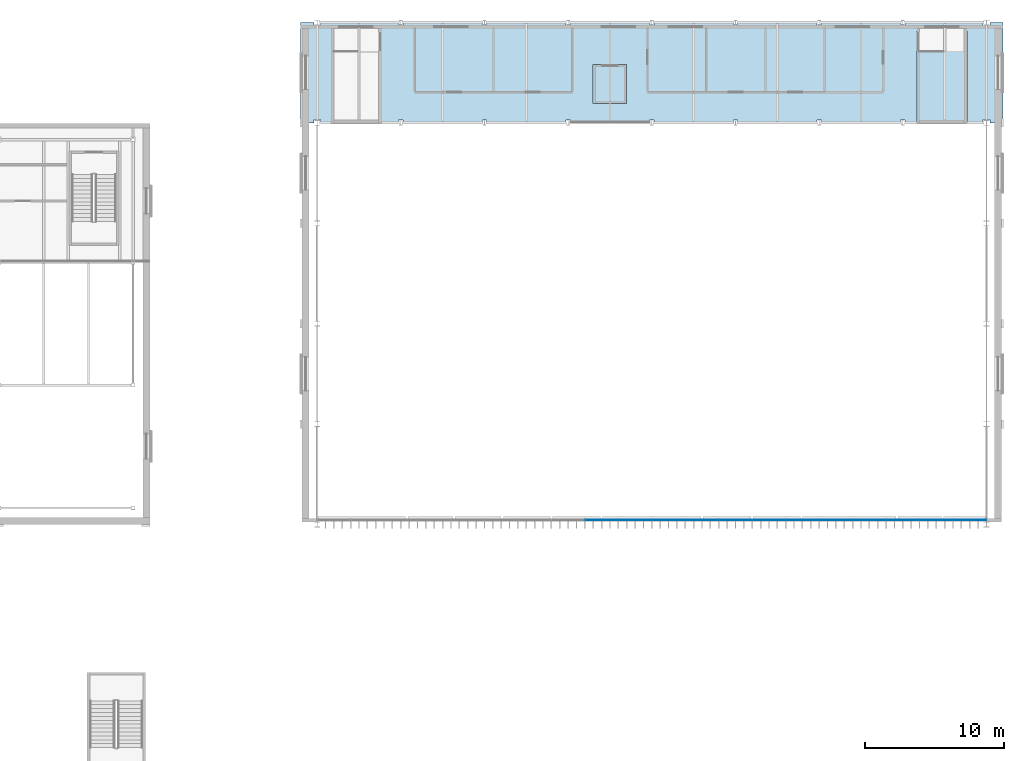
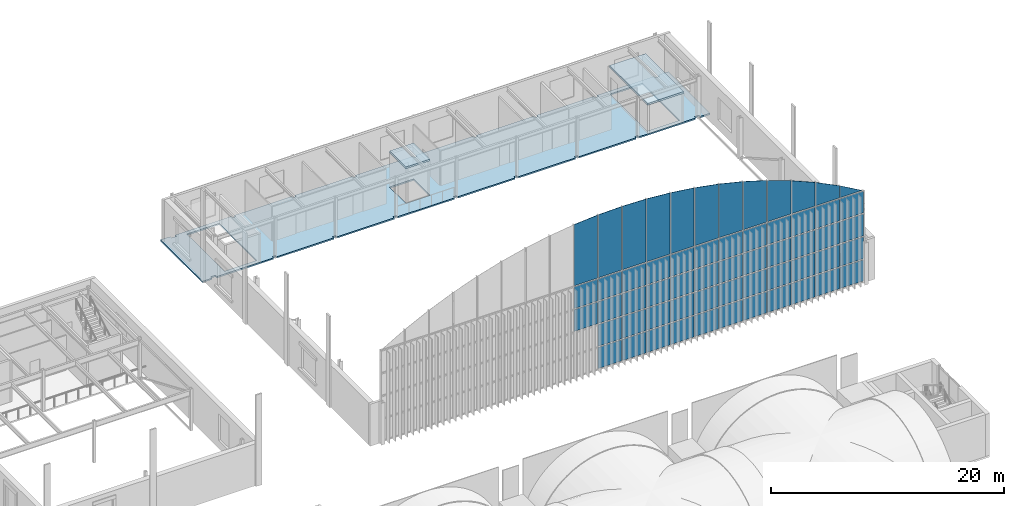
# One storey, part 95 of 169: 58 plates, 3 slabs, 1 element without a shape of its own.
"""IFC4 building model written with IfcOpenShell, lengths in metres."""

from ifc_helpers import new_model, si_unit, direction, frame, origin, origin_2d, place, context, subcontext, project, spatial, polyline, rectangle, outline, extrude, material, layer, layer_set, type_object, element, aggregate, save


model = new_model("IFC4")

# Units and contexts
model_context = context("Model", 3, precision=1e-05, world=origin(), true_north=direction((0.0, 1.0)))
body_context = subcontext(model_context, "Body", "Model", "MODEL_VIEW")
ifc_project = project(units=[si_unit("LENGTHUNIT", "METRE"), si_unit("AREAUNIT", "SQUARE_METRE"), si_unit("VOLUMEUNIT", "CUBIC_METRE"), si_unit("PLANEANGLEUNIT", "RADIAN"), si_unit("MASSUNIT", "GRAM", prefix="KILO")], contexts=[model_context])

# Site, building, storey
site_placement = place(None, origin())
site = spatial("IfcSite", under=ifc_project, at=site_placement, CompositionType="ELEMENT")
building_placement = place(site_placement, origin())
building = spatial("IfcBuilding", under=site, at=building_placement, Name="Verrick Yard Athletic Hall", CompositionType="ELEMENT")
storey_placement = place(building_placement, frame((0.0, 0.0, 4.39990234375)))
storey = spatial("IfcBuildingStorey", under=building, at=storey_placement, Name="L01", CompositionType="ELEMENT", Elevation=4.39990234375)

# Slabs
ifc_material_1 = material(Name="Concrete 35 MPa", Category="concrete")
ifc_layer_1 = layer(ifc_material_1, 0.199951171875)
ifc_layer_set_1 = layer_set([ifc_layer_1], Name="Core roof slab 200")
slab_type_1 = type_object("IfcSlabType", Name="Core roof slab 200", PredefinedType="ROOF", material=ifc_layer_set_1)
slab_1_placement = place(storey_placement, frame((0.0, 0.0, 3.0)))
element("IfcSlab", 1, at=slab_1_placement, inside=storey, type_object=slab_type_1, Name="CORE-HA-E-COVER", PredefinedType="ROOF", context=body_context, shape_type="SweptSolid", body=[
    extrude(outline(polyline([(164.60009765625, 100.800048828125), (168.199951171875, 100.800048828125), (168.199951171875, 107.375), (164.60009765625, 107.375), (164.60009765625, 100.800048828125)])), origin(), (0.0, 0.0, 1.0), 0.2001953125),
])
slab_2_placement = place(storey_placement, frame((0.0, 0.0, 3.60009765625)))
element("IfcSlab", 2, at=slab_2_placement, inside=storey, type_object=slab_type_1, Name="CORE-LF-HA-COVER", PredefinedType="ROOF", context=body_context, shape_type="SweptSolid", body=[
    extrude(outline(polyline([(141.39990234375, 102.199951171875), (143.800048828125, 102.199951171875), (143.800048828125, 105.0), (141.39990234375, 105.0), (141.39990234375, 102.199951171875)])), origin(), (0.0, 0.0, 1.0), 0.199951171875),
])

# Curtain wall, plates
ifc_material_2 = material(Name="Anodised aluminium", Category="aluminium")
ifc_layer_2 = layer(ifc_material_2, 0.199951171875)
ifc_layer_set_2 = layer_set([ifc_layer_2], Name="Gable glazing")
curtain_wall_type = type_object("IfcCurtainWallType", Name="Gable glazing", PredefinedType="NOTDEFINED", material=ifc_layer_set_2)
curtain_wall_placement = place(storey_placement, origin())
curtain_wall = element("IfcCurtainWall", 3, at=curtain_wall_placement, inside=storey, type_object=curtain_wall_type, Name="Gable curtain wall AS", PredefinedType="NOTDEFINED")
ifc_material_3 = material(Name="Glass IGU low-e", Category="glass")
ifc_layer_3 = layer(ifc_material_3, 0.03125)
ifc_layer_set_3 = layer_set([ifc_layer_3], Name="Glazing panel 31")
plate_type = type_object("IfcPlateType", Name="Glazing panel 31", PredefinedType="CURTAIN_PANEL", material=ifc_layer_set_3)
plate_1_placement = place(storey_placement, frame((142.0, 72.318359375, 4.85986328125), z_axis=(0.0, 0.0, 1.0), x_axis=(1.0, 0.0, 0.0)))
plate_1 = element("IfcPlate", 4, at=plate_1_placement, type_object=plate_type, Name="ENVB-HAS-CW/P08-02", PredefinedType="CURTAIN_PANEL", context=body_context, shape_type="SweptSolid", body=[
    extrude(rectangle(XDim=2.340087890625, YDim=0.03125, at=origin_2d()), origin(), (0.0, 0.0, 1.0), 2.280029296875),
])
plate_2_placement = place(storey_placement, frame((142.0, 72.318359375, 7.26025390625), z_axis=(0.0, 0.0, 1.0), x_axis=(1.0, 0.0, 0.0)))
plate_2 = element("IfcPlate", 5, at=plate_2_placement, type_object=plate_type, Name="ENVB-HAS-CW/P08-03", PredefinedType="CURTAIN_PANEL", context=body_context, shape_type="SweptSolid", body=[
    extrude(rectangle(XDim=2.340087890625, YDim=0.03125, at=origin_2d()), origin(), (0.0, 0.0, 1.0), 2.280029296875),
])
plate_3_placement = place(storey_placement, frame((144.39990234375, 72.318359375, 0.1201171875), z_axis=(0.0, 0.0, 1.0), x_axis=(1.0, 0.0, 0.0)))
plate_3 = element("IfcPlate", 6, at=plate_3_placement, type_object=plate_type, Name="ENVB-HAS-CW/P09-00", PredefinedType="CURTAIN_PANEL", context=body_context, shape_type="SweptSolid", body=[
    extrude(rectangle(XDim=2.340087890625, YDim=0.03125, at=origin_2d()), origin(), (0.0, 0.0, 1.0), 2.219970703125),
])
plate_4_placement = place(storey_placement, frame((144.39990234375, 72.318359375, 2.4599609375), z_axis=(0.0, 0.0, 1.0), x_axis=(1.0, 0.0, 0.0)))
plate_4 = element("IfcPlate", 7, at=plate_4_placement, type_object=plate_type, Name="ENVB-HAS-CW/P09-01", PredefinedType="CURTAIN_PANEL", context=body_context, shape_type="SweptSolid", body=[
    extrude(rectangle(XDim=2.340087890625, YDim=0.03125, at=origin_2d()), origin(), (0.0, 0.0, 1.0), 2.280029296875),
])
plate_5_placement = place(storey_placement, frame((144.39990234375, 72.318359375, 4.85986328125), z_axis=(0.0, 0.0, 1.0), x_axis=(1.0, 0.0, 0.0)))
plate_5 = element("IfcPlate", 8, at=plate_5_placement, type_object=plate_type, Name="ENVB-HAS-CW/P09-02", PredefinedType="CURTAIN_PANEL", context=body_context, shape_type="SweptSolid", body=[
    extrude(rectangle(XDim=2.340087890625, YDim=0.03125, at=origin_2d()), origin(), (0.0, 0.0, 1.0), 2.280029296875),
])
plate_6_placement = place(storey_placement, frame((144.39990234375, 72.318359375, 7.26025390625), z_axis=(0.0, 0.0, 1.0), x_axis=(1.0, 0.0, 0.0)))
plate_6 = element("IfcPlate", 9, at=plate_6_placement, type_object=plate_type, Name="ENVB-HAS-CW/P09-03", PredefinedType="CURTAIN_PANEL", context=body_context, shape_type="SweptSolid", body=[
    extrude(rectangle(XDim=2.340087890625, YDim=0.03125, at=origin_2d()), origin(), (0.0, 0.0, 1.0), 2.280029296875),
])
plate_7_placement = place(storey_placement, frame((146.800048828125, 72.318359375, 0.1201171875), z_axis=(0.0, 0.0, 1.0), x_axis=(1.0, 0.0, 0.0)))
plate_7 = element("IfcPlate", 10, at=plate_7_placement, type_object=plate_type, Name="ENVB-HAS-CW/P10-00", PredefinedType="CURTAIN_PANEL", context=body_context, shape_type="SweptSolid", body=[
    extrude(rectangle(XDim=2.340087890625, YDim=0.03125, at=origin_2d()), origin(), (0.0, 0.0, 1.0), 2.219970703125),
])
plate_8_placement = place(storey_placement, frame((146.800048828125, 72.318359375, 2.4599609375), z_axis=(0.0, 0.0, 1.0), x_axis=(1.0, 0.0, 0.0)))
plate_8 = element("IfcPlate", 11, at=plate_8_placement, type_object=plate_type, Name="ENVB-HAS-CW/P10-01", PredefinedType="CURTAIN_PANEL", context=body_context, shape_type="SweptSolid", body=[
    extrude(rectangle(XDim=2.340087890625, YDim=0.03125, at=origin_2d()), origin(), (0.0, 0.0, 1.0), 2.280029296875),
])
plate_9_placement = place(storey_placement, frame((146.800048828125, 72.318359375, 4.85986328125), z_axis=(0.0, 0.0, 1.0), x_axis=(1.0, 0.0, 0.0)))
plate_9 = element("IfcPlate", 12, at=plate_9_placement, type_object=plate_type, Name="ENVB-HAS-CW/P10-02", PredefinedType="CURTAIN_PANEL", context=body_context, shape_type="SweptSolid", body=[
    extrude(rectangle(XDim=2.340087890625, YDim=0.03125, at=origin_2d()), origin(), (0.0, 0.0, 1.0), 2.280029296875),
])
plate_10_placement = place(storey_placement, frame((146.800048828125, 72.318359375, 7.26025390625), z_axis=(0.0, 0.0, 1.0), x_axis=(1.0, 0.0, 0.0)))
plate_10 = element("IfcPlate", 13, at=plate_10_placement, type_object=plate_type, Name="ENVB-HAS-CW/P10-03", PredefinedType="CURTAIN_PANEL", context=body_context, shape_type="SweptSolid", body=[
    extrude(rectangle(XDim=2.340087890625, YDim=0.03125, at=origin_2d()), origin(), (0.0, 0.0, 1.0), 2.280029296875),
])
plate_11_placement = place(storey_placement, frame((149.199951171875, 72.318359375, 0.1201171875), z_axis=(0.0, 0.0, 1.0), x_axis=(1.0, 0.0, 0.0)))
plate_11 = element("IfcPlate", 14, at=plate_11_placement, type_object=plate_type, Name="ENVB-HAS-CW/P11-00", PredefinedType="CURTAIN_PANEL", context=body_context, shape_type="SweptSolid", body=[
    extrude(rectangle(XDim=2.340087890625, YDim=0.03125, at=origin_2d()), origin(), (0.0, 0.0, 1.0), 2.219970703125),
])
plate_12_placement = place(storey_placement, frame((149.199951171875, 72.318359375, 2.4599609375), z_axis=(0.0, 0.0, 1.0), x_axis=(1.0, 0.0, 0.0)))
plate_12 = element("IfcPlate", 15, at=plate_12_placement, type_object=plate_type, Name="ENVB-HAS-CW/P11-01", PredefinedType="CURTAIN_PANEL", context=body_context, shape_type="SweptSolid", body=[
    extrude(rectangle(XDim=2.340087890625, YDim=0.03125, at=origin_2d()), origin(), (0.0, 0.0, 1.0), 2.280029296875),
])
plate_13_placement = place(storey_placement, frame((149.199951171875, 72.318359375, 4.85986328125), z_axis=(0.0, 0.0, 1.0), x_axis=(1.0, 0.0, 0.0)))
plate_13 = element("IfcPlate", 16, at=plate_13_placement, type_object=plate_type, Name="ENVB-HAS-CW/P11-02", PredefinedType="CURTAIN_PANEL", context=body_context, shape_type="SweptSolid", body=[
    extrude(rectangle(XDim=2.340087890625, YDim=0.03125, at=origin_2d()), origin(), (0.0, 0.0, 1.0), 2.280029296875),
])
plate_14_placement = place(storey_placement, frame((149.199951171875, 72.318359375, 7.26025390625), z_axis=(0.0, 0.0, 1.0), x_axis=(1.0, 0.0, 0.0)))
plate_14 = element("IfcPlate", 17, at=plate_14_placement, type_object=plate_type, Name="ENVB-HAS-CW/P11-03", PredefinedType="CURTAIN_PANEL", context=body_context, shape_type="SweptSolid", body=[
    extrude(rectangle(XDim=2.340087890625, YDim=0.03125, at=origin_2d()), origin(), (0.0, 0.0, 1.0), 2.280029296875),
])
plate_15_placement = place(storey_placement, frame((151.60009765625, 72.318359375, 0.1201171875), z_axis=(0.0, 0.0, 1.0), x_axis=(1.0, 0.0, 0.0)))
plate_15 = element("IfcPlate", 18, at=plate_15_placement, type_object=plate_type, Name="ENVB-HAS-CW/P12-00", PredefinedType="CURTAIN_PANEL", context=body_context, shape_type="SweptSolid", body=[
    extrude(rectangle(XDim=2.340087890625, YDim=0.03125, at=origin_2d()), origin(), (0.0, 0.0, 1.0), 2.219970703125),
])
plate_16_placement = place(storey_placement, frame((151.60009765625, 72.318359375, 2.4599609375), z_axis=(0.0, 0.0, 1.0), x_axis=(1.0, 0.0, 0.0)))
plate_16 = element("IfcPlate", 19, at=plate_16_placement, type_object=plate_type, Name="ENVB-HAS-CW/P12-01", PredefinedType="CURTAIN_PANEL", context=body_context, shape_type="SweptSolid", body=[
    extrude(rectangle(XDim=2.340087890625, YDim=0.03125, at=origin_2d()), origin(), (0.0, 0.0, 1.0), 2.280029296875),
])
plate_17_placement = place(storey_placement, frame((151.60009765625, 72.318359375, 4.85986328125), z_axis=(0.0, 0.0, 1.0), x_axis=(1.0, 0.0, 0.0)))
plate_17 = element("IfcPlate", 20, at=plate_17_placement, type_object=plate_type, Name="ENVB-HAS-CW/P12-02", PredefinedType="CURTAIN_PANEL", context=body_context, shape_type="SweptSolid", body=[
    extrude(rectangle(XDim=2.340087890625, YDim=0.03125, at=origin_2d()), origin(), (0.0, 0.0, 1.0), 2.280029296875),
])
plate_18_placement = place(storey_placement, frame((151.60009765625, 72.318359375, 7.26025390625), z_axis=(0.0, 0.0, 1.0), x_axis=(1.0, 0.0, 0.0)))
plate_18 = element("IfcPlate", 21, at=plate_18_placement, type_object=plate_type, Name="ENVB-HAS-CW/P12-03", PredefinedType="CURTAIN_PANEL", context=body_context, shape_type="SweptSolid", body=[
    extrude(rectangle(XDim=2.340087890625, YDim=0.03125, at=origin_2d()), origin(), (0.0, 0.0, 1.0), 2.280029296875),
])
plate_19_placement = place(storey_placement, frame((154.0, 72.318359375, 0.1201171875), z_axis=(0.0, 0.0, 1.0), x_axis=(1.0, 0.0, 0.0)))
plate_19 = element("IfcPlate", 22, at=plate_19_placement, type_object=plate_type, Name="ENVB-HAS-CW/P13-00", PredefinedType="CURTAIN_PANEL", context=body_context, shape_type="SweptSolid", body=[
    extrude(rectangle(XDim=2.340087890625, YDim=0.03125, at=origin_2d()), origin(), (0.0, 0.0, 1.0), 2.219970703125),
])
plate_20_placement = place(storey_placement, frame((154.0, 72.318359375, 2.4599609375), z_axis=(0.0, 0.0, 1.0), x_axis=(1.0, 0.0, 0.0)))
plate_20 = element("IfcPlate", 23, at=plate_20_placement, type_object=plate_type, Name="ENVB-HAS-CW/P13-01", PredefinedType="CURTAIN_PANEL", context=body_context, shape_type="SweptSolid", body=[
    extrude(rectangle(XDim=2.340087890625, YDim=0.03125, at=origin_2d()), origin(), (0.0, 0.0, 1.0), 2.280029296875),
])
plate_21_placement = place(storey_placement, frame((154.0, 72.318359375, 4.85986328125), z_axis=(0.0, 0.0, 1.0), x_axis=(1.0, 0.0, 0.0)))
plate_21 = element("IfcPlate", 24, at=plate_21_placement, type_object=plate_type, Name="ENVB-HAS-CW/P13-02", PredefinedType="CURTAIN_PANEL", context=body_context, shape_type="SweptSolid", body=[
    extrude(rectangle(XDim=2.340087890625, YDim=0.03125, at=origin_2d()), origin(), (0.0, 0.0, 1.0), 2.280029296875),
])
plate_22_placement = place(storey_placement, frame((154.0, 72.318359375, 7.26025390625), z_axis=(0.0, 0.0, 1.0), x_axis=(1.0, 0.0, 0.0)))
plate_22 = element("IfcPlate", 25, at=plate_22_placement, type_object=plate_type, Name="ENVB-HAS-CW/P13-03", PredefinedType="CURTAIN_PANEL", context=body_context, shape_type="SweptSolid", body=[
    extrude(rectangle(XDim=2.340087890625, YDim=0.03125, at=origin_2d()), origin(), (0.0, 0.0, 1.0), 2.280029296875),
])
plate_23_placement = place(storey_placement, frame((156.39990234375, 72.318359375, 0.1201171875), z_axis=(0.0, 0.0, 1.0), x_axis=(1.0, 0.0, 0.0)))
plate_23 = element("IfcPlate", 26, at=plate_23_placement, type_object=plate_type, Name="ENVB-HAS-CW/P14-00", PredefinedType="CURTAIN_PANEL", context=body_context, shape_type="SweptSolid", body=[
    extrude(rectangle(XDim=2.340087890625, YDim=0.03125, at=origin_2d()), origin(), (0.0, 0.0, 1.0), 2.219970703125),
])
plate_24_placement = place(storey_placement, frame((156.39990234375, 72.318359375, 2.4599609375), z_axis=(0.0, 0.0, 1.0), x_axis=(1.0, 0.0, 0.0)))
plate_24 = element("IfcPlate", 27, at=plate_24_placement, type_object=plate_type, Name="ENVB-HAS-CW/P14-01", PredefinedType="CURTAIN_PANEL", context=body_context, shape_type="SweptSolid", body=[
    extrude(rectangle(XDim=2.340087890625, YDim=0.03125, at=origin_2d()), origin(), (0.0, 0.0, 1.0), 2.280029296875),
])
plate_25_placement = place(storey_placement, frame((156.39990234375, 72.318359375, 4.85986328125), z_axis=(0.0, 0.0, 1.0), x_axis=(1.0, 0.0, 0.0)))
plate_25 = element("IfcPlate", 28, at=plate_25_placement, type_object=plate_type, Name="ENVB-HAS-CW/P14-02", PredefinedType="CURTAIN_PANEL", context=body_context, shape_type="SweptSolid", body=[
    extrude(rectangle(XDim=2.340087890625, YDim=0.03125, at=origin_2d()), origin(), (0.0, 0.0, 1.0), 2.280029296875),
])
plate_26_placement = place(storey_placement, frame((156.39990234375, 72.318359375, 7.26025390625), z_axis=(0.0, 0.0, 1.0), x_axis=(1.0, 0.0, 0.0)))
plate_26 = element("IfcPlate", 29, at=plate_26_placement, type_object=plate_type, Name="ENVB-HAS-CW/P14-03", PredefinedType="CURTAIN_PANEL", context=body_context, shape_type="SweptSolid", body=[
    extrude(rectangle(XDim=2.340087890625, YDim=0.03125, at=origin_2d()), origin(), (0.0, 0.0, 1.0), 2.280029296875),
])
plate_27_placement = place(storey_placement, frame((158.800048828125, 72.318359375, 0.1201171875), z_axis=(0.0, 0.0, 1.0), x_axis=(1.0, 0.0, 0.0)))
plate_27 = element("IfcPlate", 30, at=plate_27_placement, type_object=plate_type, Name="ENVB-HAS-CW/P15-00", PredefinedType="CURTAIN_PANEL", context=body_context, shape_type="SweptSolid", body=[
    extrude(rectangle(XDim=2.340087890625, YDim=0.03125, at=origin_2d()), origin(), (0.0, 0.0, 1.0), 2.219970703125),
])
plate_28_placement = place(storey_placement, frame((158.800048828125, 72.318359375, 2.4599609375), z_axis=(0.0, 0.0, 1.0), x_axis=(1.0, 0.0, 0.0)))
plate_28 = element("IfcPlate", 31, at=plate_28_placement, type_object=plate_type, Name="ENVB-HAS-CW/P15-01", PredefinedType="CURTAIN_PANEL", context=body_context, shape_type="SweptSolid", body=[
    extrude(rectangle(XDim=2.340087890625, YDim=0.03125, at=origin_2d()), origin(), (0.0, 0.0, 1.0), 2.280029296875),
])
plate_29_placement = place(storey_placement, frame((158.800048828125, 72.318359375, 4.85986328125), z_axis=(0.0, 0.0, 1.0), x_axis=(1.0, 0.0, 0.0)))
plate_29 = element("IfcPlate", 32, at=plate_29_placement, type_object=plate_type, Name="ENVB-HAS-CW/P15-02", PredefinedType="CURTAIN_PANEL", context=body_context, shape_type="SweptSolid", body=[
    extrude(rectangle(XDim=2.340087890625, YDim=0.03125, at=origin_2d()), origin(), (0.0, 0.0, 1.0), 2.280029296875),
])
plate_30_placement = place(storey_placement, frame((158.800048828125, 72.318359375, 7.26025390625), z_axis=(0.0, 0.0, 1.0), x_axis=(1.0, 0.0, 0.0)))
plate_30 = element("IfcPlate", 33, at=plate_30_placement, type_object=plate_type, Name="ENVB-HAS-CW/P15-03", PredefinedType="CURTAIN_PANEL", context=body_context, shape_type="SweptSolid", body=[
    extrude(rectangle(XDim=2.340087890625, YDim=0.03125, at=origin_2d()), origin(), (0.0, 0.0, 1.0), 2.280029296875),
])
plate_31_placement = place(storey_placement, frame((161.199951171875, 72.318359375, 0.1201171875), z_axis=(0.0, 0.0, 1.0), x_axis=(1.0, 0.0, 0.0)))
plate_31 = element("IfcPlate", 34, at=plate_31_placement, type_object=plate_type, Name="ENVB-HAS-CW/P16-00", PredefinedType="CURTAIN_PANEL", context=body_context, shape_type="SweptSolid", body=[
    extrude(rectangle(XDim=2.340087890625, YDim=0.03125, at=origin_2d()), origin(), (0.0, 0.0, 1.0), 2.219970703125),
])
plate_32_placement = place(storey_placement, frame((161.199951171875, 72.318359375, 2.4599609375), z_axis=(0.0, 0.0, 1.0), x_axis=(1.0, 0.0, 0.0)))
plate_32 = element("IfcPlate", 35, at=plate_32_placement, type_object=plate_type, Name="ENVB-HAS-CW/P16-01", PredefinedType="CURTAIN_PANEL", context=body_context, shape_type="SweptSolid", body=[
    extrude(rectangle(XDim=2.340087890625, YDim=0.03125, at=origin_2d()), origin(), (0.0, 0.0, 1.0), 2.280029296875),
])
plate_33_placement = place(storey_placement, frame((161.199951171875, 72.318359375, 4.85986328125), z_axis=(0.0, 0.0, 1.0), x_axis=(1.0, 0.0, 0.0)))
plate_33 = element("IfcPlate", 36, at=plate_33_placement, type_object=plate_type, Name="ENVB-HAS-CW/P16-02", PredefinedType="CURTAIN_PANEL", context=body_context, shape_type="SweptSolid", body=[
    extrude(rectangle(XDim=2.340087890625, YDim=0.03125, at=origin_2d()), origin(), (0.0, 0.0, 1.0), 2.280029296875),
])
plate_34_placement = place(storey_placement, frame((161.199951171875, 72.318359375, 7.26025390625), z_axis=(0.0, 0.0, 1.0), x_axis=(1.0, 0.0, 0.0)))
plate_34 = element("IfcPlate", 37, at=plate_34_placement, type_object=plate_type, Name="ENVB-HAS-CW/P16-03", PredefinedType="CURTAIN_PANEL", context=body_context, shape_type="SweptSolid", body=[
    extrude(rectangle(XDim=2.340087890625, YDim=0.03125, at=origin_2d()), origin(), (0.0, 0.0, 1.0), 2.280029296875),
])
plate_35_placement = place(storey_placement, frame((163.60009765625, 72.318359375, 0.1201171875), z_axis=(0.0, 0.0, 1.0), x_axis=(1.0, 0.0, 0.0)))
plate_35 = element("IfcPlate", 38, at=plate_35_placement, type_object=plate_type, Name="ENVB-HAS-CW/P17-00", PredefinedType="CURTAIN_PANEL", context=body_context, shape_type="SweptSolid", body=[
    extrude(rectangle(XDim=2.340087890625, YDim=0.03125, at=origin_2d()), origin(), (0.0, 0.0, 1.0), 2.219970703125),
])
plate_36_placement = place(storey_placement, frame((163.60009765625, 72.318359375, 2.4599609375), z_axis=(0.0, 0.0, 1.0), x_axis=(1.0, 0.0, 0.0)))
plate_36 = element("IfcPlate", 39, at=plate_36_placement, type_object=plate_type, Name="ENVB-HAS-CW/P17-01", PredefinedType="CURTAIN_PANEL", context=body_context, shape_type="SweptSolid", body=[
    extrude(rectangle(XDim=2.340087890625, YDim=0.03125, at=origin_2d()), origin(), (0.0, 0.0, 1.0), 2.280029296875),
])
plate_37_placement = place(storey_placement, frame((163.60009765625, 72.318359375, 4.85986328125), z_axis=(0.0, 0.0, 1.0), x_axis=(1.0, 0.0, 0.0)))
plate_37 = element("IfcPlate", 40, at=plate_37_placement, type_object=plate_type, Name="ENVB-HAS-CW/P17-02", PredefinedType="CURTAIN_PANEL", context=body_context, shape_type="SweptSolid", body=[
    extrude(rectangle(XDim=2.340087890625, YDim=0.03125, at=origin_2d()), origin(), (0.0, 0.0, 1.0), 2.280029296875),
])
plate_38_placement = place(storey_placement, frame((163.60009765625, 72.318359375, 7.26025390625), z_axis=(0.0, 0.0, 1.0), x_axis=(1.0, 0.0, 0.0)))
plate_38 = element("IfcPlate", 41, at=plate_38_placement, type_object=plate_type, Name="ENVB-HAS-CW/P17-03", PredefinedType="CURTAIN_PANEL", context=body_context, shape_type="SweptSolid", body=[
    extrude(rectangle(XDim=2.340087890625, YDim=0.03125, at=origin_2d()), origin(), (0.0, 0.0, 1.0), 2.280029296875),
])
plate_39_placement = place(storey_placement, frame((166.0, 72.318359375, 0.1201171875), z_axis=(0.0, 0.0, 1.0), x_axis=(1.0, 0.0, 0.0)))
plate_39 = element("IfcPlate", 42, at=plate_39_placement, type_object=plate_type, Name="ENVB-HAS-CW/P18-00", PredefinedType="CURTAIN_PANEL", context=body_context, shape_type="SweptSolid", body=[
    extrude(rectangle(XDim=2.340087890625, YDim=0.03125, at=origin_2d()), origin(), (0.0, 0.0, 1.0), 2.219970703125),
])
plate_40_placement = place(storey_placement, frame((166.0, 72.318359375, 2.4599609375), z_axis=(0.0, 0.0, 1.0), x_axis=(1.0, 0.0, 0.0)))
plate_40 = element("IfcPlate", 43, at=plate_40_placement, type_object=plate_type, Name="ENVB-HAS-CW/P18-01", PredefinedType="CURTAIN_PANEL", context=body_context, shape_type="SweptSolid", body=[
    extrude(rectangle(XDim=2.340087890625, YDim=0.03125, at=origin_2d()), origin(), (0.0, 0.0, 1.0), 2.280029296875),
])
plate_41_placement = place(storey_placement, frame((166.0, 72.318359375, 4.85986328125), z_axis=(0.0, 0.0, 1.0), x_axis=(1.0, 0.0, 0.0)))
plate_41 = element("IfcPlate", 44, at=plate_41_placement, type_object=plate_type, Name="ENVB-HAS-CW/P18-02", PredefinedType="CURTAIN_PANEL", context=body_context, shape_type="SweptSolid", body=[
    extrude(rectangle(XDim=2.340087890625, YDim=0.03125, at=origin_2d()), origin(), (0.0, 0.0, 1.0), 2.280029296875),
])
plate_42_placement = place(storey_placement, frame((166.0, 72.318359375, 7.26025390625), z_axis=(0.0, 0.0, 1.0), x_axis=(1.0, 0.0, 0.0)))
plate_42 = element("IfcPlate", 45, at=plate_42_placement, type_object=plate_type, Name="ENVB-HAS-CW/P18-03", PredefinedType="CURTAIN_PANEL", context=body_context, shape_type="SweptSolid", body=[
    extrude(rectangle(XDim=2.340087890625, YDim=0.03125, at=origin_2d()), origin(), (0.0, 0.0, 1.0), 2.280029296875),
])
plate_43_placement = place(storey_placement, frame((168.39990234375, 72.318359375, 0.1201171875), z_axis=(0.0, 0.0, 1.0), x_axis=(1.0, 0.0, 0.0)))
plate_43 = element("IfcPlate", 46, at=plate_43_placement, type_object=plate_type, Name="ENVB-HAS-CW/P19-00", PredefinedType="CURTAIN_PANEL", context=body_context, shape_type="SweptSolid", body=[
    extrude(rectangle(XDim=2.340087890625, YDim=0.03125, at=origin_2d()), origin(), (0.0, 0.0, 1.0), 2.219970703125),
])
plate_44_placement = place(storey_placement, frame((168.39990234375, 72.318359375, 2.4599609375), z_axis=(0.0, 0.0, 1.0), x_axis=(1.0, 0.0, 0.0)))
plate_44 = element("IfcPlate", 47, at=plate_44_placement, type_object=plate_type, Name="ENVB-HAS-CW/P19-01", PredefinedType="CURTAIN_PANEL", context=body_context, shape_type="SweptSolid", body=[
    extrude(rectangle(XDim=2.340087890625, YDim=0.03125, at=origin_2d()), origin(), (0.0, 0.0, 1.0), 2.280029296875),
])
plate_45_placement = place(storey_placement, frame((168.39990234375, 72.318359375, 4.85986328125), z_axis=(0.0, 0.0, 1.0), x_axis=(1.0, 0.0, 0.0)))
plate_45 = element("IfcPlate", 48, at=plate_45_placement, type_object=plate_type, Name="ENVB-HAS-CW/P19-02", PredefinedType="CURTAIN_PANEL", context=body_context, shape_type="SweptSolid", body=[
    extrude(rectangle(XDim=2.340087890625, YDim=0.03125, at=origin_2d()), origin(), (0.0, 0.0, 1.0), 2.280029296875),
])
plate_46_placement = place(storey_placement, frame((168.39990234375, 72.318359375, 7.26025390625), z_axis=(0.0, 0.0, 1.0), x_axis=(1.0, 0.0, 0.0)))
plate_46 = element("IfcPlate", 49, at=plate_46_placement, type_object=plate_type, Name="ENVB-HAS-CW/P19-03", PredefinedType="CURTAIN_PANEL", context=body_context, shape_type="SweptSolid", body=[
    extrude(rectangle(XDim=2.340087890625, YDim=0.03125, at=origin_2d()), origin(), (0.0, 0.0, 1.0), 2.280029296875),
])
plate_47_placement = place(storey_placement, frame((140.830078125, 72.318359375, 9.66015625), z_axis=(0.0, 0.0, 1.0), x_axis=(1.0, 0.0, 0.0)))
plate_47 = element("IfcPlate", 50, at=plate_47_placement, type_object=plate_type, Name="ENVB-HAS-CW/PA08", PredefinedType="CURTAIN_PANEL", context=body_context, shape_type="SweptSolid", body=[
    extrude(outline(polyline([(0.0, 6.418212890625), (2.340087890625, 6.60205078125), (2.340087890625, 0.0), (0.0, 0.0), (0.0, 6.418212890625)])), frame((0.0, 0.015625, 0.0), z_axis=(0.0, -1.0, 0.0), x_axis=(1.0, 0.0, 0.0)), (0.0, 0.0, 1.0), 0.03125),
])
plate_48_placement = place(storey_placement, frame((143.22998046875, 72.318359375, 9.66015625), z_axis=(0.0, 0.0, 1.0), x_axis=(1.0, 0.0, 0.0)))
plate_48 = element("IfcPlate", 51, at=plate_48_placement, type_object=plate_type, Name="ENVB-HAS-CW/PA09", PredefinedType="CURTAIN_PANEL", context=body_context, shape_type="SweptSolid", body=[
    extrude(outline(polyline([(0.0, 6.605224609375), (2.340087890625, 6.666259765625), (2.340087890625, 0.0), (0.0, 0.0), (0.0, 6.605224609375)])), frame((0.0, 0.015625, 0.0), z_axis=(0.0, -1.0, 0.0), x_axis=(1.0, 0.0, 0.0)), (0.0, 0.0, 1.0), 0.03125),
])
plate_49_placement = place(storey_placement, frame((145.6298828125, 72.318359375, 9.66015625), z_axis=(0.0, 0.0, 1.0), x_axis=(1.0, 0.0, 0.0)))
plate_49 = element("IfcPlate", 52, at=plate_49_placement, type_object=plate_type, Name="ENVB-HAS-CW/PA10", PredefinedType="CURTAIN_PANEL", context=body_context, shape_type="SweptSolid", body=[
    extrude(outline(polyline([(0.0, 6.666259765625), (2.340087890625, 6.605224609375), (2.340087890625, 0.0), (0.0, 0.0), (0.0, 6.666259765625)])), frame((0.0, 0.015625, 0.0), z_axis=(0.0, -1.0, 0.0), x_axis=(1.0, 0.0, 0.0)), (0.0, 0.0, 1.0), 0.03125),
])
plate_50_placement = place(storey_placement, frame((148.030029296875, 72.318359375, 9.66015625), z_axis=(0.0, 0.0, 1.0), x_axis=(1.0, 0.0, 0.0)))
plate_50 = element("IfcPlate", 53, at=plate_50_placement, type_object=plate_type, Name="ENVB-HAS-CW/PA11", PredefinedType="CURTAIN_PANEL", context=body_context, shape_type="SweptSolid", body=[
    extrude(outline(polyline([(0.0, 6.60205078125), (2.340087890625, 6.418212890625), (2.340087890625, 0.0), (0.0, 0.0), (0.0, 6.60205078125)])), frame((0.0, 0.015625, 0.0), z_axis=(0.0, -1.0, 0.0), x_axis=(1.0, 0.0, 0.0)), (0.0, 0.0, 1.0), 0.03125),
])
plate_51_placement = place(storey_placement, frame((150.429931640625, 72.318359375, 9.66015625), z_axis=(0.0, 0.0, 1.0), x_axis=(1.0, 0.0, 0.0)))
plate_51 = element("IfcPlate", 54, at=plate_51_placement, type_object=plate_type, Name="ENVB-HAS-CW/PA12", PredefinedType="CURTAIN_PANEL", context=body_context, shape_type="SweptSolid", body=[
    extrude(outline(polyline([(0.0, 6.41162109375), (2.340087890625, 6.103759765625), (2.340087890625, 0.0), (0.0, 0.0), (0.0, 6.41162109375)])), frame((0.0, 0.015625, 0.0), z_axis=(0.0, -1.0, 0.0), x_axis=(1.0, 0.0, 0.0)), (0.0, 0.0, 1.0), 0.03125),
])
plate_52_placement = place(storey_placement, frame((152.830078125, 72.318359375, 9.66015625), z_axis=(0.0, 0.0, 1.0), x_axis=(1.0, 0.0, 0.0)))
plate_52 = element("IfcPlate", 55, at=plate_52_placement, type_object=plate_type, Name="ENVB-HAS-CW/PA13", PredefinedType="CURTAIN_PANEL", context=body_context, shape_type="SweptSolid", body=[
    extrude(outline(polyline([(0.0, 6.093994140625), (2.340087890625, 5.6591796875), (2.340087890625, 0.0), (0.0, 0.0), (0.0, 6.093994140625)])), frame((0.0, 0.015625, 0.0), z_axis=(0.0, -1.0, 0.0), x_axis=(1.0, 0.0, 0.0)), (0.0, 0.0, 1.0), 0.03125),
])
plate_53_placement = place(storey_placement, frame((155.22998046875, 72.318359375, 9.66015625), z_axis=(0.0, 0.0, 1.0), x_axis=(1.0, 0.0, 0.0)))
plate_53 = element("IfcPlate", 56, at=plate_53_placement, type_object=plate_type, Name="ENVB-HAS-CW/PA14", PredefinedType="CURTAIN_PANEL", context=body_context, shape_type="SweptSolid", body=[
    extrude(outline(polyline([(0.0, 5.646240234375), (2.340087890625, 5.080810546875), (2.340087890625, 0.0), (0.0, 0.0), (0.0, 5.646240234375)])), frame((0.0, 0.015625, 0.0), z_axis=(0.0, -1.0, 0.0), x_axis=(1.0, 0.0, 0.0)), (0.0, 0.0, 1.0), 0.03125),
])
plate_54_placement = place(storey_placement, frame((157.6298828125, 72.318359375, 9.66015625), z_axis=(0.0, 0.0, 1.0), x_axis=(1.0, 0.0, 0.0)))
plate_54 = element("IfcPlate", 57, at=plate_54_placement, type_object=plate_type, Name="ENVB-HAS-CW/PA15", PredefinedType="CURTAIN_PANEL", context=body_context, shape_type="SweptSolid", body=[
    extrude(outline(polyline([(0.0, 5.06396484375), (2.340087890625, 4.36279296875), (2.340087890625, 0.0), (0.0, 0.0), (0.0, 5.06396484375)])), frame((0.0, 0.015625, 0.0), z_axis=(0.0, -1.0, 0.0), x_axis=(1.0, 0.0, 0.0)), (0.0, 0.0, 1.0), 0.03125),
])
plate_55_placement = place(storey_placement, frame((160.030029296875, 72.318359375, 9.66015625), z_axis=(0.0, 0.0, 1.0), x_axis=(1.0, 0.0, 0.0)))
plate_55 = element("IfcPlate", 58, at=plate_55_placement, type_object=plate_type, Name="ENVB-HAS-CW/PA16", PredefinedType="CURTAIN_PANEL", context=body_context, shape_type="SweptSolid", body=[
    extrude(outline(polyline([(0.0, 4.34228515625), (2.340087890625, 3.49853515625), (2.340087890625, 0.0), (0.0, 0.0), (0.0, 4.34228515625)])), frame((0.0, 0.015625, 0.0), z_axis=(0.0, -1.0, 0.0), x_axis=(1.0, 0.0, 0.0)), (0.0, 0.0, 1.0), 0.03125),
])
plate_56_placement = place(storey_placement, frame((162.429931640625, 72.318359375, 9.66015625), z_axis=(0.0, 0.0, 1.0), x_axis=(1.0, 0.0, 0.0)))
plate_56 = element("IfcPlate", 59, at=plate_56_placement, type_object=plate_type, Name="ENVB-HAS-CW/PA17", PredefinedType="CURTAIN_PANEL", context=body_context, shape_type="SweptSolid", body=[
    extrude(outline(polyline([(0.0, 3.47412109375), (2.340087890625, 2.478759765625), (2.340087890625, 0.0), (0.0, 0.0), (0.0, 3.47412109375)])), frame((0.0, 0.015625, 0.0), z_axis=(0.0, -1.0, 0.0), x_axis=(1.0, 0.0, 0.0)), (0.0, 0.0, 1.0), 0.03125),
])
plate_57_placement = place(storey_placement, frame((164.830078125, 72.318359375, 9.66015625), z_axis=(0.0, 0.0, 1.0), x_axis=(1.0, 0.0, 0.0)))
plate_57 = element("IfcPlate", 60, at=plate_57_placement, type_object=plate_type, Name="ENVB-HAS-CW/PA18", PredefinedType="CURTAIN_PANEL", context=body_context, shape_type="SweptSolid", body=[
    extrude(outline(polyline([(0.0, 2.4501953125), (2.340087890625, 1.291748046875), (2.340087890625, 0.0), (0.0, 0.0), (0.0, 2.4501953125)])), frame((0.0, 0.015625, 0.0), z_axis=(0.0, -1.0, 0.0), x_axis=(1.0, 0.0, 0.0)), (0.0, 0.0, 1.0), 0.03125),
])
plate_58_placement = place(storey_placement, frame((167.22998046875, 72.318359375, 9.66015625), z_axis=(0.0, 0.0, 1.0), x_axis=(1.0, 0.0, 0.0)))
plate_58 = element("IfcPlate", 61, at=plate_58_placement, type_object=plate_type, Name="ENVB-HAS-CW/PA19", PredefinedType="CURTAIN_PANEL", context=body_context, shape_type="SweptSolid", body=[
    extrude(outline(polyline([(0.0, 1.2587890625), (2.204345703125, 0.0), (0.0, 0.0), (0.0, 1.2587890625)])), frame((0.0, 0.015625, 0.0), z_axis=(0.0, -1.0, 0.0), x_axis=(1.0, 0.0, 0.0)), (0.0, 0.0, 1.0), 0.03125),
])
aggregate(curtain_wall, [plate_1, plate_2, plate_3, plate_4, plate_5, plate_6, plate_7, plate_8, plate_9, plate_10, plate_11, plate_12, plate_13, plate_14, plate_15, plate_16, plate_17, plate_18, plate_19, plate_20, plate_21, plate_22, plate_23, plate_24, plate_25, plate_26, plate_27, plate_28, plate_29, plate_30, plate_31, plate_32, plate_33, plate_34, plate_35, plate_36, plate_37, plate_38, plate_39, plate_40, plate_41, plate_42, plate_43, plate_44, plate_45, plate_46, plate_47, plate_48, plate_49, plate_50, plate_51, plate_52, plate_53, plate_54, plate_55, plate_56, plate_57, plate_58])

# Slab
ifc_layer_4 = layer(ifc_material_1, 0.14990234375)
ifc_layer_set_4 = layer_set([ifc_layer_4], Name="HB floor slab 150")
slab_type_2 = type_object("IfcSlabType", Name="HB floor slab 150", PredefinedType="FLOOR", material=ifc_layer_set_4)
slab_3_placement = place(storey_placement, frame((0.0, 0.0, -0.14990234375)))
element("IfcSlab", 62, at=slab_3_placement, inside=storey, type_object=slab_type_2, Name="HB-SL-A-L01", PredefinedType="FLOOR", context=body_context, shape_type="SweptSolid", body=[
    extrude(outline(polyline([(170.800048828125, 108.0), (170.800048828125, 100.800048828125), (169.83447265625, 100.800048828125), (169.83447265625, 101.028076171875), (169.365478515625, 101.028076171875), (169.365478515625, 100.800048828125), (163.75244140625, 100.800048828125), (163.75244140625, 101.0048828125), (163.447509765625, 101.0048828125), (163.447509765625, 100.800048828125), (157.75244140625, 100.800048828125), (157.75244140625, 101.0048828125), (157.447509765625, 101.0048828125), (157.447509765625, 100.800048828125), (151.75244140625, 100.800048828125), (151.75244140625, 101.0048828125), (151.447509765625, 101.0048828125), (151.447509765625, 100.800048828125), (145.75244140625, 100.800048828125), (145.75244140625, 101.0048828125), (145.447509765625, 101.0048828125), (145.447509765625, 100.800048828125), (139.75244140625, 100.800048828125), (139.75244140625, 101.0048828125), (139.447509765625, 101.0048828125), (139.447509765625, 100.800048828125), (133.75244140625, 100.800048828125), (133.75244140625, 101.0048828125), (133.447509765625, 101.0048828125), (133.447509765625, 100.800048828125), (127.75244140625, 100.800048828125), (127.75244140625, 101.0048828125), (127.447509765625, 101.0048828125), (127.447509765625, 100.800048828125), (121.83447265625, 100.800048828125), (121.83447265625, 101.028076171875), (121.365478515625, 101.028076171875), (121.365478515625, 100.800048828125), (120.39990234375, 100.800048828125), (120.39990234375, 108.0), (121.365478515625, 108.0), (121.365478515625, 107.77197265625), (121.83447265625, 107.77197265625), (121.83447265625, 108.0), (127.447509765625, 108.0), (127.447509765625, 107.794921875), (127.75244140625, 107.794921875), (127.75244140625, 108.0), (133.447509765625, 108.0), (133.447509765625, 107.794921875), (133.75244140625, 107.794921875), (133.75244140625, 108.0), (139.447509765625, 108.0), (139.447509765625, 107.794921875), (139.75244140625, 107.794921875), (139.75244140625, 108.0), (145.447509765625, 108.0), (145.447509765625, 107.794921875), (145.75244140625, 107.794921875), (145.75244140625, 108.0), (151.447509765625, 108.0), (151.447509765625, 107.794921875), (151.75244140625, 107.794921875), (151.75244140625, 108.0), (157.447509765625, 108.0), (157.447509765625, 107.794921875), (157.75244140625, 107.794921875), (157.75244140625, 108.0), (163.447509765625, 108.0), (163.447509765625, 107.794921875), (163.75244140625, 107.794921875), (163.75244140625, 108.0), (169.365478515625, 108.0), (169.365478515625, 107.77197265625), (169.83447265625, 107.77197265625), (169.83447265625, 108.0), (170.800048828125, 108.0)]), holes=[polyline([(143.800048828125, 105.0), (141.39990234375, 105.0), (141.39990234375, 102.199951171875), (143.800048828125, 102.199951171875), (143.800048828125, 105.0)]), polyline([(126.0, 107.60009765625), (122.800048828125, 107.60009765625), (122.800048828125, 101.199951171875), (126.0, 101.199951171875), (126.0, 107.60009765625)]), polyline([(168.0, 107.60009765625), (164.800048828125, 107.60009765625), (164.800048828125, 101.199951171875), (168.0, 101.199951171875), (168.0, 107.60009765625)])]), origin(), (0.0, 0.0, 1.0), 0.14990234375),
])

save(model, "model.ifc")
